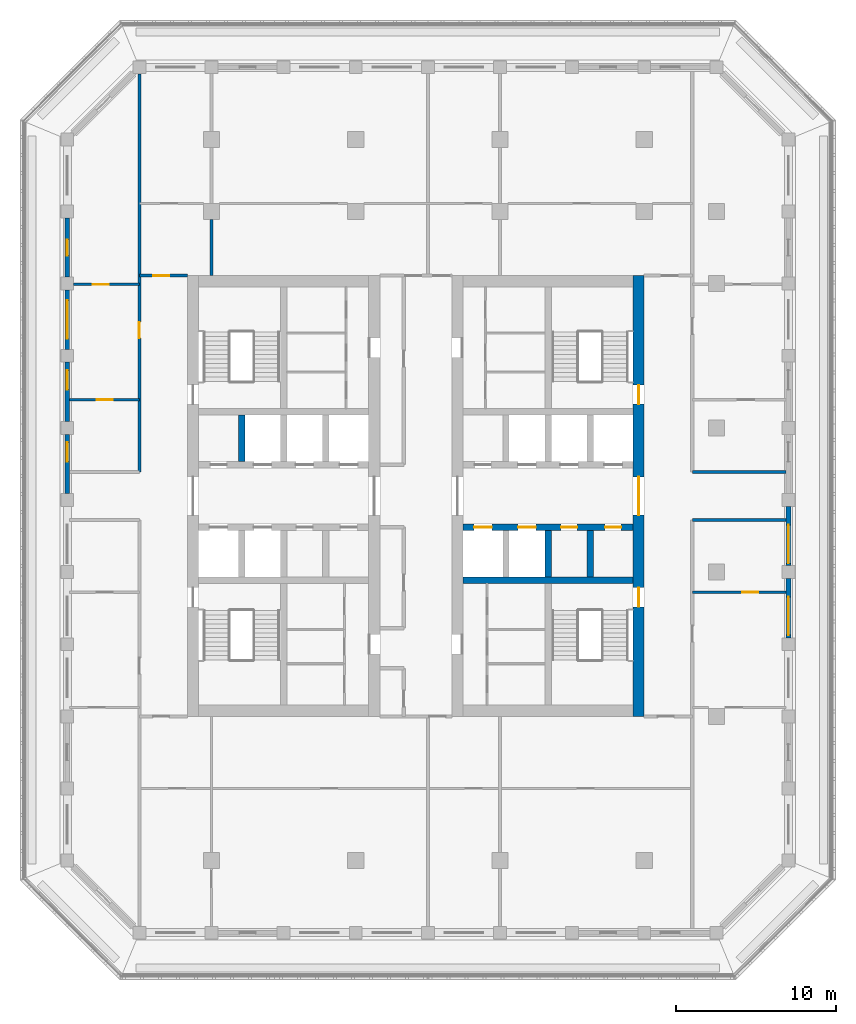
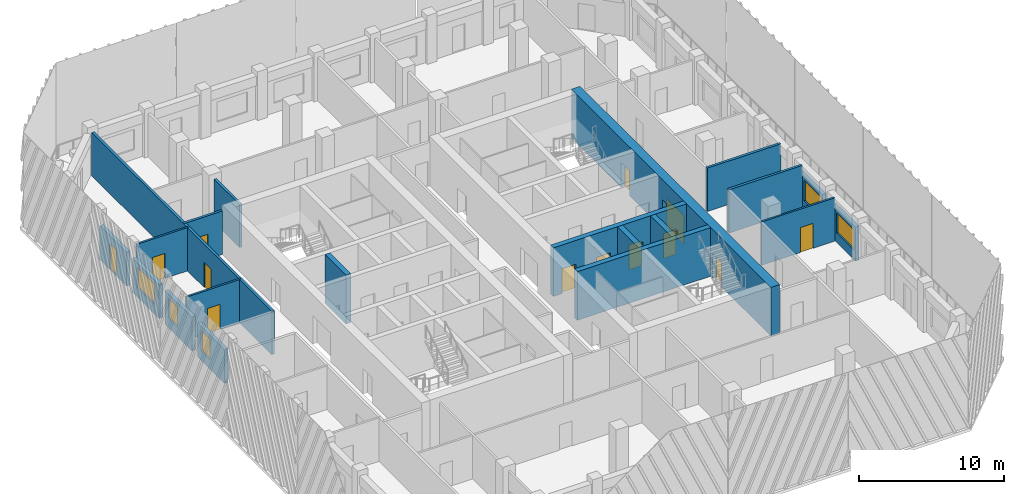
# One storey, part 5 of 17: 20 walls, 13 doors, 5 windows, 18 openings.
"""IFC4 building model written with IfcOpenShell, lengths in metres."""

from ifc_helpers import new_model, si_unit, direction, frame, frame_2d, origin, place, context, subcontext, project, spatial, rectangle, extrude, material, layer, layer_set, type_object, element, fill, save


model = new_model("IFC4")

# Units and contexts
model_context = context("Model", 3, precision=1e-05, world=origin(), true_north=direction((0.0, 1.0)))
body_context = subcontext(model_context, "Body", "Model", "MODEL_VIEW")
ifc_project = project(units=[si_unit("LENGTHUNIT", "METRE"), si_unit("AREAUNIT", "SQUARE_METRE"), si_unit("VOLUMEUNIT", "CUBIC_METRE"), si_unit("PLANEANGLEUNIT", "RADIAN"), si_unit("MASSUNIT", "GRAM", prefix="KILO")], contexts=[model_context])

# Site, building, storey
site_placement = place(None, origin())
site = spatial("IfcSite", under=ifc_project, at=site_placement, CompositionType="ELEMENT")
building_placement = place(site_placement, origin())
building = spatial("IfcBuilding", under=site, at=building_placement, Name="Corbel Stack Research Tower", CompositionType="ELEMENT")
storey_placement = place(building_placement, frame((0.0, 0.0, 248.0)))
storey = spatial("IfcBuildingStorey", under=building, at=storey_placement, Name="L56", CompositionType="ELEMENT", Elevation=248.0)

# Walls
ifc_material_1 = material(Name="Concrete C60/75", Category="concrete")
ifc_layer_1 = layer(ifc_material_1, 0.39990234375)
ifc_layer_set_1 = layer_set([ifc_layer_1], Name="Concrete C60/75")
wall_type_1 = type_object("IfcWallType", Name="CW-400-60", PredefinedType="SHEAR", material=ifc_layer_set_1)
wall_1_placement = place(storey_placement, frame((-7.125, 6.89990234375, 0.0), z_axis=(0.0, 0.0, 1.0), x_axis=(0.0, 1.0, 0.0)))
element("IfcWall", 1, at=wall_1_placement, inside=storey, type_object=wall_type_1, Name="West core wall, north shaft 1 L56", PredefinedType="SHEAR", context=body_context, shape_type="SweptSolid", body=[
    extrude(rectangle(XDim=2.900146484375, YDim=0.39990234375, at=frame_2d((1.4501953125, 0.0))), origin(), (0.0, 0.0, 1.0), 4.10009765625),
])
wall_2_placement = place(storey_placement, frame((6.699951171875, -0.5, 0.0), z_axis=(0.0, 0.0, 1.0), x_axis=(1.0, 0.0, 0.0)))
element("IfcWall", 2, at=wall_2_placement, inside=storey, type_object=wall_type_1, Name="East core wall, south row back L56", PredefinedType="SHEAR", context=body_context, shape_type="SweptSolid", body=[
    extrude(rectangle(XDim=10.60009765625, YDim=0.39990234375, at=frame_2d((5.300048828125, 0.0))), origin(), (0.0, 0.0, 1.0), 4.10009765625),
])

# Wall, openings, doors
wall_3_placement = place(storey_placement, frame((6.699951171875, 2.800048828125, 0.0), z_axis=(0.0, 0.0, 1.0), x_axis=(1.0, 0.0, 0.0)))
wall_3 = element("IfcWall", 3, at=wall_3_placement, inside=storey, type_object=wall_type_1, Name="East core wall, lobby south L56", PredefinedType="SHEAR", context=body_context, shape_type="SweptSolid", body=[
    extrude(rectangle(XDim=10.60009765625, YDim=0.39990234375, at=frame_2d((5.300048828125, 0.0))), origin(), (0.0, 0.0, 1.0), 4.10009765625),
])
opening_1_placement = place(wall_3_placement, frame((0.6875, 0.0, 0.0)))
opening_1 = element("IfcOpeningElement", 4, at=opening_1_placement, cuts=wall_3, Name="Opening LD-FS2", PredefinedType="OPENING", context=body_context, shape_type="SweptSolid", body=[
    extrude(rectangle(XDim=1.10009765625, YDim=2.10009765625, at=frame_2d((0.550048828125, 1.050048828125))), frame((0.0, 0.2099609375, 0.0), z_axis=(0.0, -1.0, 0.0), x_axis=(1.0, 0.0, 0.0)), (0.0, 0.0, 1.0), 0.419921875),
])
opening_2_placement = place(wall_3_placement, frame((3.4375, 0.0, 0.0)))
opening_2 = element("IfcOpeningElement", 5, at=opening_2_placement, cuts=wall_3, Name="Opening LD-GL2", PredefinedType="OPENING", context=body_context, shape_type="SweptSolid", body=[
    extrude(rectangle(XDim=1.10009765625, YDim=2.10009765625, at=frame_2d((0.550048828125, 1.050048828125))), frame((0.0, 0.2099609375, 0.0), z_axis=(0.0, -1.0, 0.0), x_axis=(1.0, 0.0, 0.0)), (0.0, 0.0, 1.0), 0.419921875),
])
opening_3_placement = place(wall_3_placement, frame((6.112548828125, 0.0, 0.0)))
opening_3 = element("IfcOpeningElement", 6, at=opening_3_placement, cuts=wall_3, Name="Opening CR-E12-S3", PredefinedType="OPENING", context=body_context, shape_type="SweptSolid", body=[
    extrude(rectangle(XDim=1.0, YDim=2.10009765625, at=frame_2d((0.5, 1.050048828125))), frame((0.0, 0.2099609375, 0.0), z_axis=(0.0, -1.0, 0.0), x_axis=(1.0, 0.0, 0.0)), (0.0, 0.0, 1.0), 0.419921875),
])
opening_4_placement = place(wall_3_placement, frame((8.862548828125, 0.0, 0.0)))
opening_4 = element("IfcOpeningElement", 7, at=opening_4_placement, cuts=wall_3, Name="Opening CR-E12-S4", PredefinedType="OPENING", context=body_context, shape_type="SweptSolid", body=[
    extrude(rectangle(XDim=1.0, YDim=2.10009765625, at=frame_2d((0.5, 1.050048828125))), frame((0.0, 0.2099609375, 0.0), z_axis=(0.0, -1.0, 0.0), x_axis=(1.0, 0.0, 0.0)), (0.0, 0.0, 1.0), 0.419921875),
])
ifc_material_2 = material(Name="Stainless steel landing door", Category="steel")
door_type_1 = type_object("IfcDoorType", Name="Lift landing door 1100 x 2100", OperationType="DOUBLE_DOOR_SLIDING", PredefinedType="DOOR", material=ifc_material_2)
door_1_placement = place(opening_1_placement, origin())
door_1 = element("IfcDoor", 8, at=door_1_placement, inside=storey, type_object=door_type_1, Name="Landing door FS2", OperationType="DOUBLE_DOOR_SLIDING", OverallHeight=2.10009765625, OverallWidth=1.10009765625, PredefinedType="DOOR", context=body_context, shape_type="SweptSolid", body=[
    extrude(rectangle(XDim=1.10009765625, YDim=2.10009765625, at=frame_2d((0.550048828125, 1.050048828125))), frame((0.0, 0.02490234375, 0.0), z_axis=(0.0, -1.0, 0.0), x_axis=(1.0, 0.0, 0.0)), (0.0, 0.0, 1.0), 0.050048828125),
])
fill(opening_1, door_1)
door_2_placement = place(opening_2_placement, origin())
door_2 = element("IfcDoor", 9, at=door_2_placement, inside=storey, type_object=door_type_1, Name="Landing door GL2", OperationType="DOUBLE_DOOR_SLIDING", OverallHeight=2.10009765625, OverallWidth=1.10009765625, PredefinedType="DOOR", context=body_context, shape_type="SweptSolid", body=[
    extrude(rectangle(XDim=1.10009765625, YDim=2.10009765625, at=frame_2d((0.550048828125, 1.050048828125))), frame((0.0, 0.02490234375, 0.0), z_axis=(0.0, -1.0, 0.0), x_axis=(1.0, 0.0, 0.0)), (0.0, 0.0, 1.0), 0.050048828125),
])
fill(opening_2, door_2)
ifc_material_3 = material(Name="Painted steel door", Category="steel")
door_type_2 = type_object("IfcDoorType", Name="Service door 1000 x 2100 FD60 left hand", OperationType="SINGLE_SWING_LEFT", PredefinedType="DOOR", material=ifc_material_3)
door_3_placement = place(opening_3_placement, origin())
door_3 = element("IfcDoor", 10, at=door_3_placement, inside=storey, type_object=door_type_2, Name="Vending bay door E core", OperationType="SINGLE_SWING_LEFT", OverallHeight=2.10009765625, OverallWidth=1.0, PredefinedType="DOOR", context=body_context, shape_type="SweptSolid", body=[
    extrude(rectangle(XDim=1.0, YDim=2.10009765625, at=frame_2d((0.5, 1.050048828125))), frame((0.0, 0.02490234375, 0.0), z_axis=(0.0, -1.0, 0.0), x_axis=(1.0, 0.0, 0.0)), (0.0, 0.0, 1.0), 0.050048828125),
])
fill(opening_3, door_3)
ifc_material_4 = material(Name="Painted steel door", Category="steel")
door_type_3 = type_object("IfcDoorType", Name="Service door 1000 x 2100 FD60 right hand", OperationType="SINGLE_SWING_RIGHT", PredefinedType="DOOR", material=ifc_material_4)
door_4_placement = place(opening_4_placement, origin())
door_4 = element("IfcDoor", 11, at=door_4_placement, inside=storey, type_object=door_type_3, Name="Mechanical room door E core", OperationType="SINGLE_SWING_RIGHT", OverallHeight=2.10009765625, OverallWidth=1.0, PredefinedType="DOOR", context=body_context, shape_type="SweptSolid", body=[
    extrude(rectangle(XDim=1.0, YDim=2.10009765625, at=frame_2d((0.5, 1.050048828125))), frame((0.0, 0.02490234375, 0.0), z_axis=(0.0, -1.0, 0.0), x_axis=(1.0, 0.0, 0.0)), (0.0, 0.0, 1.0), 0.050048828125),
])
fill(opening_4, door_4)

# Walls
for number, where, z_axis, x_axis, name in (
    (12, (12.0, -0.300048828125, 0.0), (0.0, 0.0, 1.0), (0.0, 1.0, 0.0), "East core wall, south shaft 2 L56"),
    (13, (14.625, -0.300048828125, 0.0), (0.0, 0.0, 1.0), (0.0, 1.0, 0.0), "East core wall, south shaft 3 L56"),
):
    element("IfcWall", number, at=place(storey_placement, frame(where, z_axis=z_axis, x_axis=x_axis)), inside=storey, type_object=wall_type_1, Name=name, PredefinedType="SHEAR", context=body_context, shape_type="SweptSolid", body=[
        extrude(rectangle(XDim=2.900146484375, YDim=0.39990234375, at=frame_2d((1.4501953125, 0.0))), origin(), (0.0, 0.0, 1.0), 4.10009765625),
    ])

# Wall, openings, doors
ifc_material_5 = material(Name="Concrete C60/75", Category="concrete")
ifc_layer_2 = layer(ifc_material_5, 0.699951171875)
ifc_layer_set_2 = layer_set([ifc_layer_2], Name="Concrete C60/75")
wall_type_2 = type_object("IfcWallType", Name="CW-700-60", PredefinedType="SHEAR", material=ifc_layer_set_2)
wall_4_placement = place(storey_placement, frame((17.64990234375, -9.0, 0.0), z_axis=(0.0, 0.0, 1.0), x_axis=(0.0, 1.0, 0.0)))
wall_4 = element("IfcWall", 14, at=wall_4_placement, inside=storey, type_object=wall_type_2, Name="East core wall, east face L56", PredefinedType="SHEAR", context=body_context, shape_type="SweptSolid", body=[
    extrude(rectangle(XDim=27.5, YDim=0.699951171875, at=frame_2d((13.75, 0.0))), origin(), (0.0, 0.0, 1.0), 4.10009765625),
])
opening_5_placement = place(wall_4_placement, frame((12.550048828125, 0.0, 0.0)))
opening_5 = element("IfcOpeningElement", 15, at=opening_5_placement, cuts=wall_4, Name="Opening CD-E-E", PredefinedType="OPENING", context=body_context, shape_type="SweptSolid", body=[
    extrude(rectangle(XDim=2.39990234375, YDim=2.39990234375, at=frame_2d((1.199951171875, 1.199951171875))), frame((0.0, 0.35986328125, 0.0), z_axis=(0.0, -1.0, 0.0), x_axis=(1.0, 0.0, 0.0)), (0.0, 0.0, 1.0), 0.719970703125),
])
opening_6_placement = place(wall_4_placement, frame((6.824951171875, 0.0, 0.0)))
opening_6 = element("IfcOpeningElement", 16, at=opening_6_placement, cuts=wall_4, Name="Opening SD-ST-E1", PredefinedType="OPENING", context=body_context, shape_type="SweptSolid", body=[
    extrude(rectangle(XDim=1.199951171875, YDim=2.10009765625, at=frame_2d((0.60009765625, 1.050048828125))), frame((0.0, 0.35986328125, 0.0), z_axis=(0.0, -1.0, 0.0), x_axis=(1.0, 0.0, 0.0)), (0.0, 0.0, 1.0), 0.719970703125),
])
opening_7_placement = place(wall_4_placement, frame((19.47509765625, 0.0, 0.0)))
opening_7 = element("IfcOpeningElement", 17, at=opening_7_placement, cuts=wall_4, Name="Opening SD-ST-E2", PredefinedType="OPENING", context=body_context, shape_type="SweptSolid", body=[
    extrude(rectangle(XDim=1.199951171875, YDim=2.10009765625, at=frame_2d((0.60009765625, 1.050048828125))), frame((0.0, 0.35986328125, 0.0), z_axis=(0.0, -1.0, 0.0), x_axis=(1.0, 0.0, 0.0)), (0.0, 0.0, 1.0), 0.719970703125),
])
ifc_material_6 = material(Name="Painted steel fire door", Category="steel")
door_type_4 = type_object("IfcDoorType", Name="Lobby door pair 2400 x 2400 FD30S", OperationType="DOUBLE_DOOR_DOUBLE_SWING", PredefinedType="DOOR", material=ifc_material_6)
door_5_placement = place(opening_5_placement, origin())
door_5 = element("IfcDoor", 18, at=door_5_placement, inside=storey, type_object=door_type_4, Name="Lift lobby door E core E", OperationType="DOUBLE_DOOR_DOUBLE_SWING", OverallHeight=2.39990234375, OverallWidth=2.39990234375, PredefinedType="DOOR", context=body_context, shape_type="SweptSolid", body=[
    extrude(rectangle(XDim=2.39990234375, YDim=2.39990234375, at=frame_2d((1.199951171875, 1.199951171875))), frame((0.0, 0.02490234375, 0.0), z_axis=(0.0, -1.0, 0.0), x_axis=(1.0, 0.0, 0.0)), (0.0, 0.0, 1.0), 0.050048828125),
])
fill(opening_5, door_5)
ifc_material_7 = material(Name="Painted steel fire door", Category="steel")
door_type_5 = type_object("IfcDoorType", Name="Stair door 1200 x 2100 FD90 right hand", OperationType="SINGLE_SWING_RIGHT", PredefinedType="DOOR", material=ifc_material_7)
door_6_placement = place(opening_6_placement, frame((1.199951171875, 0.0, 0.0), z_axis=(0.0, 0.0, 1.0), x_axis=(-1.0, 0.0, 0.0)))
door_6 = element("IfcDoor", 19, at=door_6_placement, inside=storey, type_object=door_type_5, Name="Stair door ST-E1", OperationType="SINGLE_SWING_LEFT", OverallHeight=2.10009765625, OverallWidth=1.199951171875, PredefinedType="DOOR", context=body_context, shape_type="SweptSolid", body=[
    extrude(rectangle(XDim=1.199951171875, YDim=2.10009765625, at=frame_2d((0.60009765625, 1.050048828125))), frame((0.0, 0.02490234375, 0.0), z_axis=(0.0, -1.0, 0.0), x_axis=(1.0, 0.0, 0.0)), (0.0, 0.0, 1.0), 0.050048828125),
])
fill(opening_6, door_6)
door_7_placement = place(opening_7_placement, frame((1.199951171875, 0.0, 0.0), z_axis=(0.0, 0.0, 1.0), x_axis=(-1.0, 0.0, 0.0)))
door_7 = element("IfcDoor", 20, at=door_7_placement, inside=storey, type_object=door_type_5, Name="Stair door ST-E2", OperationType="SINGLE_SWING_LEFT", OverallHeight=2.10009765625, OverallWidth=1.199951171875, PredefinedType="DOOR", context=body_context, shape_type="SweptSolid", body=[
    extrude(rectangle(XDim=1.199951171875, YDim=2.10009765625, at=frame_2d((0.60009765625, 1.050048828125))), frame((0.0, 0.02490234375, 0.0), z_axis=(0.0, -1.0, 0.0), x_axis=(1.0, 0.0, 0.0)), (0.0, 0.0, 1.0), 0.050048828125),
])
fill(opening_7, door_7)

# Wall, opening, door
ifc_material_8 = material(Name="Fire-rated gypsum board partition on steel studs", Category="steel")
ifc_layer_3 = layer(ifc_material_8, 0.199951171875)
ifc_layer_set_3 = layer_set([ifc_layer_3], Name="Fire-rated gypsum board partition on steel studs")
wall_type_3 = type_object("IfcWallType", Name="Fire-rated partition 200 EI 60", PredefinedType="PARTITIONING", material=ifc_layer_set_3)
wall_5_placement = place(storey_placement, frame((-13.5, 6.25, 0.0), z_axis=(0.0, 0.0, 1.0), x_axis=(0.0, 1.0, 0.0)))
wall_5 = element("IfcWall", 21, at=wall_5_placement, inside=storey, type_object=wall_type_3, Name="Partition L56-002", PredefinedType="PARTITIONING", context=body_context, shape_type="SweptSolid", body=[
    extrude(rectangle(XDim=24.8271484375, YDim=0.199951171875, at=frame_2d((12.41357421875, 0.0))), origin(), (0.0, 0.0, 1.0), 3.64990234375),
])
opening_8_placement = place(wall_5_placement, frame((8.35009765625, 0.0, 0.0)))
opening_8 = element("IfcOpeningElement", 22, at=opening_8_placement, cuts=wall_5, Name="Opening B7V1-006", PredefinedType="OPENING", context=body_context, shape_type="SweptSolid", body=[
    extrude(rectangle(XDim=1.0, YDim=2.10009765625, at=frame_2d((0.5, 1.050048828125))), frame((0.0, 0.10986328125, 0.0), z_axis=(0.0, -1.0, 0.0), x_axis=(1.0, 0.0, 0.0)), (0.0, 0.0, 1.0), 0.219970703125),
])
ifc_material_9 = material(Name="Painted steel fire door", Category="steel")
door_type_6 = type_object("IfcDoorType", Name="Fire door FD30S 1000 x 2100", OperationType="NOTDEFINED", PredefinedType="DOOR", material=ifc_material_9)
door_8_placement = place(opening_8_placement, origin())
door_8 = element("IfcDoor", 23, at=door_8_placement, inside=storey, type_object=door_type_6, Name="Door B7V1-006", OperationType="SINGLE_SWING_LEFT", OverallHeight=2.10009765625, OverallWidth=1.0, PredefinedType="DOOR", context=body_context, shape_type="SweptSolid", body=[
    extrude(rectangle(XDim=1.0, YDim=2.10009765625, at=frame_2d((0.5, 1.050048828125))), frame((0.0, 0.02490234375, 0.0), z_axis=(0.0, -1.0, 0.0), x_axis=(1.0, 0.0, 0.0)), (0.0, 0.0, 1.0), 0.050048828125),
])
fill(opening_8, door_8)

# Walls
wall_6_placement = place(storey_placement, frame((-9.0, 18.5, 0.0), z_axis=(0.0, 0.0, 1.0), x_axis=(0.0, 1.0, 0.0)))
element("IfcWall", 24, at=wall_6_placement, inside=storey, type_object=wall_type_3, Name="Partition L56-005", PredefinedType="PARTITIONING", context=body_context, shape_type="SweptSolid", body=[
    extrude(rectangle(XDim=3.5, YDim=0.199951171875, at=frame_2d((1.75, 0.0))), origin(), (0.0, 0.0, 1.0), 3.64990234375),
])
for number, where, z_axis, x_axis, name in (
    (25, (21.0, 3.25, 0.0), (0.0, 0.0, 1.0), (1.0, 0.0, 0.0), "Partition L56-033"),
    (26, (21.0, 6.25, 0.0), (0.0, 0.0, 1.0), (1.0, 0.0, 0.0), "Partition L56-035"),
):
    element("IfcWall", number, at=place(storey_placement, frame(where, z_axis=z_axis, x_axis=x_axis)), inside=storey, type_object=wall_type_3, Name=name, PredefinedType="PARTITIONING", context=body_context, shape_type="SweptSolid", body=[
        extrude(rectangle(XDim=5.85009765625, YDim=0.199951171875, at=frame_2d((2.925048828125, 0.0))), origin(), (0.0, 0.0, 1.0), 3.64990234375),
    ])

# Wall, opening, door
wall_7_placement = place(storey_placement, frame((-13.5, 18.5, 0.0), z_axis=(0.0, 0.0, 1.0), x_axis=(1.0, 0.0, 0.0)))
wall_7 = element("IfcWall", 27, at=wall_7_placement, inside=storey, type_object=wall_type_3, Name="Partition L56-042", PredefinedType="PARTITIONING", context=body_context, shape_type="SweptSolid", body=[
    extrude(rectangle(XDim=3.0, YDim=0.199951171875, at=frame_2d((1.5, 0.0))), origin(), (0.0, 0.0, 1.0), 3.64990234375),
])
opening_9_placement = place(wall_7_placement, frame((0.85009765625, 0.0, 0.0)))
opening_9 = element("IfcOpeningElement", 28, at=opening_9_placement, cuts=wall_7, Name="Opening B7V1-022", PredefinedType="OPENING", context=body_context, shape_type="SweptSolid", body=[
    extrude(rectangle(XDim=1.0, YDim=2.10009765625, at=frame_2d((0.5, 1.050048828125))), frame((0.0, 0.10986328125, 0.0), z_axis=(0.0, -1.0, 0.0), x_axis=(1.0, 0.0, 0.0)), (0.0, 0.0, 1.0), 0.219970703125),
])
door_9_placement = place(opening_9_placement, origin())
door_9 = element("IfcDoor", 29, at=door_9_placement, inside=storey, type_object=door_type_6, Name="Door B7V1-022", OperationType="SINGLE_SWING_LEFT", OverallHeight=2.10009765625, OverallWidth=1.0, PredefinedType="DOOR", context=body_context, shape_type="SweptSolid", body=[
    extrude(rectangle(XDim=1.0, YDim=2.10009765625, at=frame_2d((0.5, 1.050048828125))), frame((0.0, 0.02490234375, 0.0), z_axis=(0.0, -1.0, 0.0), x_axis=(1.0, 0.0, 0.0)), (0.0, 0.0, 1.0), 0.050048828125),
])
fill(opening_9, door_9)

ifc_material_10 = material(Name="Gypsum board partition on steel studs", Category="steel")
ifc_layer_4 = layer(ifc_material_10, 0.14990234375)
ifc_layer_set_4 = layer_set([ifc_layer_4], Name="Gypsum board partition on steel studs")
wall_type_4 = type_object("IfcWallType", Name="Partition 150", PredefinedType="PARTITIONING", material=ifc_layer_set_4)
wall_8_placement = place(storey_placement, frame((21.0, -1.25, 0.0), z_axis=(0.0, 0.0, 1.0), x_axis=(1.0, 0.0, 0.0)))
wall_8 = element("IfcWall", 30, at=wall_8_placement, inside=storey, type_object=wall_type_4, Name="Partition L56-030", PredefinedType="PARTITIONING", context=body_context, shape_type="SweptSolid", body=[
    extrude(rectangle(XDim=5.85009765625, YDim=0.14990234375, at=frame_2d((2.925048828125, 0.0))), origin(), (0.0, 0.0, 1.0), 3.64990234375),
])
opening_10_placement = place(wall_8_placement, frame((3.10009765625, 0.0, 0.0)))
opening_10 = element("IfcOpeningElement", 31, at=opening_10_placement, cuts=wall_8, Name="Opening B7V1-014", PredefinedType="OPENING", context=body_context, shape_type="SweptSolid", body=[
    extrude(rectangle(XDim=1.0, YDim=2.10009765625, at=frame_2d((0.5, 1.050048828125))), frame((0.0, 0.0849609375, 0.0), z_axis=(0.0, -1.0, 0.0), x_axis=(1.0, 0.0, 0.0)), (0.0, 0.0, 1.0), 0.169921875),
])
ifc_material_11 = material(Name="Painted timber door", Category="wood")
door_type_7 = type_object("IfcDoorType", Name="Single door 1000 x 2100", OperationType="NOTDEFINED", PredefinedType="DOOR", material=ifc_material_11)
door_10_placement = place(opening_10_placement, origin())
door_10 = element("IfcDoor", 32, at=door_10_placement, inside=storey, type_object=door_type_7, Name="Door B7V1-014", OperationType="SINGLE_SWING_RIGHT", OverallHeight=2.10009765625, OverallWidth=1.0, PredefinedType="DOOR", context=body_context, shape_type="SweptSolid", body=[
    extrude(rectangle(XDim=1.0, YDim=2.10009765625, at=frame_2d((0.5, 1.050048828125))), frame((0.0, 0.02490234375, 0.0), z_axis=(0.0, -1.0, 0.0), x_axis=(1.0, 0.0, 0.0)), (0.0, 0.0, 1.0), 0.050048828125),
])
fill(opening_10, door_10)

wall_9_placement = place(storey_placement, frame((-13.5, 10.75, 0.0), z_axis=(0.0, 0.0, 1.0), x_axis=(-1.0, 0.0, 0.0)))
wall_9 = element("IfcWall", 33, at=wall_9_placement, inside=storey, type_object=wall_type_4, Name="Partition L56-037", PredefinedType="PARTITIONING", context=body_context, shape_type="SweptSolid", body=[
    extrude(rectangle(XDim=4.35009765625, YDim=0.14990234375, at=frame_2d((2.175048828125, 0.0))), origin(), (0.0, 0.0, 1.0), 3.64990234375),
])
opening_11_placement = place(wall_9_placement, frame((1.64990234375, 0.0, 0.0)))
opening_11 = element("IfcOpeningElement", 34, at=opening_11_placement, cuts=wall_9, Name="Opening B7V1-018", PredefinedType="OPENING", context=body_context, shape_type="SweptSolid", body=[
    extrude(rectangle(XDim=1.0, YDim=2.10009765625, at=frame_2d((0.5, 1.050048828125))), frame((0.0, 0.0849609375, 0.0), z_axis=(0.0, -1.0, 0.0), x_axis=(1.0, 0.0, 0.0)), (0.0, 0.0, 1.0), 0.169921875),
])
door_11_placement = place(opening_11_placement, origin())
door_11 = element("IfcDoor", 35, at=door_11_placement, inside=storey, type_object=door_type_7, Name="Door B7V1-018", OperationType="SINGLE_SWING_RIGHT", OverallHeight=2.10009765625, OverallWidth=1.0, PredefinedType="DOOR", context=body_context, shape_type="SweptSolid", body=[
    extrude(rectangle(XDim=1.0, YDim=2.10009765625, at=frame_2d((0.5, 1.050048828125))), frame((0.0, 0.02490234375, 0.0), z_axis=(0.0, -1.0, 0.0), x_axis=(1.0, 0.0, 0.0)), (0.0, 0.0, 1.0), 0.050048828125),
])
fill(opening_11, door_11)

wall_10_placement = place(storey_placement, frame((-17.60009765625, 17.949951171875, 0.0), z_axis=(0.0, 0.0, 1.0), x_axis=(1.0, 0.0, 0.0)))
wall_10 = element("IfcWall", 36, at=wall_10_placement, inside=storey, type_object=wall_type_4, Name="Partition L56-039", PredefinedType="PARTITIONING", context=body_context, shape_type="SweptSolid", body=[
    extrude(rectangle(XDim=4.10009765625, YDim=0.14990234375, at=frame_2d((2.050048828125, 0.0))), origin(), (0.0, 0.0, 1.0), 3.64990234375),
])
opening_12_placement = place(wall_10_placement, frame((1.199951171875, 0.0, 0.0)))
opening_12 = element("IfcOpeningElement", 37, at=opening_12_placement, cuts=wall_10, Name="Opening B7V1-020", PredefinedType="OPENING", context=body_context, shape_type="SweptSolid", body=[
    extrude(rectangle(XDim=1.0, YDim=2.10009765625, at=frame_2d((0.5, 1.050048828125))), frame((0.0, 0.0849609375, 0.0), z_axis=(0.0, -1.0, 0.0), x_axis=(1.0, 0.0, 0.0)), (0.0, 0.0, 1.0), 0.169921875),
])
door_12_placement = place(opening_12_placement, origin())
door_12 = element("IfcDoor", 38, at=door_12_placement, inside=storey, type_object=door_type_7, Name="Door B7V1-020", OperationType="SINGLE_SWING_LEFT", OverallHeight=2.10009765625, OverallWidth=1.0, PredefinedType="DOOR", context=body_context, shape_type="SweptSolid", body=[
    extrude(rectangle(XDim=1.0, YDim=2.10009765625, at=frame_2d((0.5, 1.050048828125))), frame((0.0, 0.02490234375, 0.0), z_axis=(0.0, -1.0, 0.0), x_axis=(1.0, 0.0, 0.0)), (0.0, 0.0, 1.0), 0.050048828125),
])
fill(opening_12, door_12)

# Wall, opening, window
ifc_material_12 = material(Name="Concrete C45/55", Category="concrete")
ifc_layer_5 = layer(ifc_material_12, 0.300048828125)
ifc_layer_set_5 = layer_set([ifc_layer_5], Name="Concrete C45/55")
wall_type_5 = type_object("IfcWallType", Name="Terracotta-faced concrete wall 300", PredefinedType="SOLIDWALL", material=ifc_layer_set_5)
wall_11_placement = place(storey_placement, frame((27.0, -0.39990234375, 0.0), z_axis=(0.0, 0.0, 1.0), x_axis=(0.0, -1.0, 0.0)))
wall_11 = element("IfcWall", 39, at=wall_11_placement, inside=storey, type_object=wall_type_5, Name="Facade wall L56 E04", PredefinedType="SOLIDWALL", context=body_context, shape_type="SweptSolid", body=[
    extrude(rectangle(XDim=3.7001953125, YDim=0.300048828125, at=frame_2d((1.85009765625, 0.0))), origin(), (0.0, 0.0, 1.0), 2.85009765625),
])
opening_13_placement = place(wall_11_placement, frame((1.137451171875, 0.0, 0.800048828125)))
opening_13 = element("IfcOpeningElement", 40, at=opening_13_placement, cuts=wall_11, Name="Opening W1", PredefinedType="OPENING", context=body_context, shape_type="SweptSolid", body=[
    extrude(rectangle(XDim=2.39990234375, YDim=1.699951171875, at=frame_2d((1.199951171875, 0.85009765625))), frame((0.0, 0.159912109375, 0.0), z_axis=(0.0, -1.0, 0.0), x_axis=(1.0, 0.0, 0.0)), (0.0, 0.0, 1.0), 0.320068359375),
])
ifc_material_13 = material(Name="Aluminium frame, clear double glazing", Category="aluminium")
window_type_1 = type_object("IfcWindowType", Name="Window W1 2400 x 1700", PartitioningType="SINGLE_PANEL", PredefinedType="WINDOW", material=ifc_material_13)
window_1_placement = place(opening_13_placement, origin())
window_1 = element("IfcWindow", 41, at=window_1_placement, inside=storey, type_object=window_type_1, Name="Window W1 L56 E04", OverallHeight=1.699951171875, OverallWidth=2.39990234375, PartitioningType="SINGLE_PANEL", PredefinedType="WINDOW", context=body_context, shape_type="SweptSolid", body=[
    extrude(rectangle(XDim=2.39990234375, YDim=1.699951171875, at=frame_2d((1.199951171875, 0.85009765625))), frame((0.0, 0.030029296875, 0.0), z_axis=(0.0, -1.0, 0.0), x_axis=(1.0, 0.0, 0.0)), (0.0, 0.0, 1.0), 0.06005859375),
])
fill(opening_13, window_1)

wall_12_placement = place(storey_placement, frame((27.0, 4.10009765625, 0.0), z_axis=(0.0, 0.0, 1.0), x_axis=(0.0, -1.0, 0.0)))
wall_12 = element("IfcWall", 42, at=wall_12_placement, inside=storey, type_object=wall_type_5, Name="Facade wall L56 E05", PredefinedType="SOLIDWALL", context=body_context, shape_type="SweptSolid", body=[
    extrude(rectangle(XDim=3.7001953125, YDim=0.300048828125, at=frame_2d((1.85009765625, 0.0))), origin(), (0.0, 0.0, 1.0), 2.85009765625),
])
opening_14_placement = place(wall_12_placement, frame((1.14990234375, 0.0, 0.800048828125)))
opening_14 = element("IfcOpeningElement", 43, at=opening_14_placement, cuts=wall_12, Name="Opening W1", PredefinedType="OPENING", context=body_context, shape_type="SweptSolid", body=[
    extrude(rectangle(XDim=2.39990234375, YDim=1.699951171875, at=frame_2d((1.199951171875, 0.85009765625))), frame((0.0, 0.159912109375, 0.0), z_axis=(0.0, -1.0, 0.0), x_axis=(1.0, 0.0, 0.0)), (0.0, 0.0, 1.0), 0.320068359375),
])
window_2_placement = place(opening_14_placement, origin())
window_2 = element("IfcWindow", 44, at=window_2_placement, inside=storey, type_object=window_type_1, Name="Window W1 L56 E05", OverallHeight=1.699951171875, OverallWidth=2.39990234375, PartitioningType="SINGLE_PANEL", PredefinedType="WINDOW", context=body_context, shape_type="SweptSolid", body=[
    extrude(rectangle(XDim=2.39990234375, YDim=1.699951171875, at=frame_2d((1.199951171875, 0.85009765625))), frame((0.0, 0.030029296875, 0.0), z_axis=(0.0, -1.0, 0.0), x_axis=(1.0, 0.0, 0.0)), (0.0, 0.0, 1.0), 0.06005859375),
])
fill(opening_14, window_2)

# Wall, opening, door
wall_13_placement = place(storey_placement, frame((-18.0, 18.39990234375, 0.0), z_axis=(0.0, 0.0, 1.0), x_axis=(0.0, 1.0, 0.0)))
wall_13 = element("IfcWall", 45, at=wall_13_placement, inside=storey, type_object=wall_type_5, Name="Facade wall L56 W02", PredefinedType="SOLIDWALL", context=body_context, shape_type="SweptSolid", body=[
    extrude(rectangle(XDim=3.7001953125, YDim=0.300048828125, at=frame_2d((1.85009765625, 0.0))), origin(), (0.0, 0.0, 1.0), 2.85009765625),
])
opening_15_placement = place(wall_13_placement, frame((1.35009765625, 0.0, 0.0)))
opening_15 = element("IfcOpeningElement", 46, at=opening_15_placement, cuts=wall_13, Name="Opening L56-B10", PredefinedType="OPENING", context=body_context, shape_type="SweptSolid", body=[
    extrude(rectangle(XDim=1.0, YDim=2.199951171875, at=frame_2d((0.5, 1.10009765625))), frame((0.0, 0.159912109375, 0.0), z_axis=(0.0, -1.0, 0.0), x_axis=(1.0, 0.0, 0.0)), (0.0, 0.0, 1.0), 0.320068359375),
])
ifc_material_14 = material(Name="Aluminium frame, clear double glazing", Category="aluminium")
door_type_8 = type_object("IfcDoorType", Name="Balcony door BD1 1000 x 2200", OperationType="NOTDEFINED", PredefinedType="DOOR", material=ifc_material_14)
door_13_placement = place(opening_15_placement, origin())
door_13 = element("IfcDoor", 47, at=door_13_placement, inside=storey, type_object=door_type_8, Name="Balcony door L56-B10", OperationType="SINGLE_SWING_RIGHT", OverallHeight=2.199951171875, OverallWidth=1.0, PredefinedType="DOOR", context=body_context, shape_type="SweptSolid", body=[
    extrude(rectangle(XDim=1.0, YDim=2.199951171875, at=frame_2d((0.5, 1.10009765625))), frame((0.0, 0.02490234375, 0.0), z_axis=(0.0, -1.0, 0.0), x_axis=(1.0, 0.0, 0.0)), (0.0, 0.0, 1.0), 0.050048828125),
])
fill(opening_15, door_13)

# Wall, opening, window
wall_14_placement = place(storey_placement, frame((-18.0, 13.89990234375, 0.0), z_axis=(0.0, 0.0, 1.0), x_axis=(0.0, 1.0, 0.0)))
wall_14 = element("IfcWall", 48, at=wall_14_placement, inside=storey, type_object=wall_type_5, Name="Facade wall L56 W03", PredefinedType="SOLIDWALL", context=body_context, shape_type="SweptSolid", body=[
    extrude(rectangle(XDim=3.7001953125, YDim=0.300048828125, at=frame_2d((1.85009765625, 0.0))), origin(), (0.0, 0.0, 1.0), 2.85009765625),
])
opening_16_placement = place(wall_14_placement, frame((0.64990234375, 0.0, 0.800048828125)))
opening_16 = element("IfcOpeningElement", 49, at=opening_16_placement, cuts=wall_14, Name="Opening W1", PredefinedType="OPENING", context=body_context, shape_type="SweptSolid", body=[
    extrude(rectangle(XDim=2.39990234375, YDim=1.699951171875, at=frame_2d((1.199951171875, 0.85009765625))), frame((0.0, 0.159912109375, 0.0), z_axis=(0.0, -1.0, 0.0), x_axis=(1.0, 0.0, 0.0)), (0.0, 0.0, 1.0), 0.320068359375),
])
window_3_placement = place(opening_16_placement, origin())
window_3 = element("IfcWindow", 50, at=window_3_placement, inside=storey, type_object=window_type_1, Name="Window W1 L56 W03", OverallHeight=1.699951171875, OverallWidth=2.39990234375, PartitioningType="SINGLE_PANEL", PredefinedType="WINDOW", context=body_context, shape_type="SweptSolid", body=[
    extrude(rectangle(XDim=2.39990234375, YDim=1.699951171875, at=frame_2d((1.199951171875, 0.85009765625))), frame((0.0, 0.030029296875, 0.0), z_axis=(0.0, -1.0, 0.0), x_axis=(1.0, 0.0, 0.0)), (0.0, 0.0, 1.0), 0.06005859375),
])
fill(opening_16, window_3)

wall_15_placement = place(storey_placement, frame((-18.0, 9.39990234375, 0.0), z_axis=(0.0, 0.0, 1.0), x_axis=(0.0, 1.0, 0.0)))
wall_15 = element("IfcWall", 51, at=wall_15_placement, inside=storey, type_object=wall_type_5, Name="Facade wall L56 W04", PredefinedType="SOLIDWALL", context=body_context, shape_type="SweptSolid", body=[
    extrude(rectangle(XDim=3.7001953125, YDim=0.300048828125, at=frame_2d((1.85009765625, 0.0))), origin(), (0.0, 0.0, 1.0), 2.85009765625),
])
opening_17_placement = place(wall_15_placement, frame((1.987548828125, 0.0, 0.800048828125)))
opening_17 = element("IfcOpeningElement", 52, at=opening_17_placement, cuts=wall_15, Name="Opening W2", PredefinedType="OPENING", context=body_context, shape_type="SweptSolid", body=[
    extrude(rectangle(XDim=1.199951171875, YDim=1.699951171875, at=frame_2d((0.60009765625, 0.85009765625))), frame((0.0, 0.159912109375, 0.0), z_axis=(0.0, -1.0, 0.0), x_axis=(1.0, 0.0, 0.0)), (0.0, 0.0, 1.0), 0.320068359375),
])
ifc_material_15 = material(Name="Aluminium frame, clear double glazing", Category="aluminium")
window_type_2 = type_object("IfcWindowType", Name="Window W2 1200 x 1700", PartitioningType="SINGLE_PANEL", PredefinedType="WINDOW", material=ifc_material_15)
window_4_placement = place(opening_17_placement, origin())
window_4 = element("IfcWindow", 53, at=window_4_placement, inside=storey, type_object=window_type_2, Name="Window W2 L56 W04", OverallHeight=1.699951171875, OverallWidth=1.199951171875, PartitioningType="SINGLE_PANEL", PredefinedType="WINDOW", context=body_context, shape_type="SweptSolid", body=[
    extrude(rectangle(XDim=1.199951171875, YDim=1.699951171875, at=frame_2d((0.60009765625, 0.85009765625))), frame((0.0, 0.030029296875, 0.0), z_axis=(0.0, -1.0, 0.0), x_axis=(1.0, 0.0, 0.0)), (0.0, 0.0, 1.0), 0.06005859375),
])
fill(opening_17, window_4)

wall_16_placement = place(storey_placement, frame((-18.0, 4.89990234375, 0.0), z_axis=(0.0, 0.0, 1.0), x_axis=(0.0, 1.0, 0.0)))
wall_16 = element("IfcWall", 54, at=wall_16_placement, inside=storey, type_object=wall_type_5, Name="Facade wall L56 W05", PredefinedType="SOLIDWALL", context=body_context, shape_type="SweptSolid", body=[
    extrude(rectangle(XDim=3.7001953125, YDim=0.300048828125, at=frame_2d((1.85009765625, 0.0))), origin(), (0.0, 0.0, 1.0), 2.85009765625),
])
opening_18_placement = place(wall_16_placement, frame((2.0, 0.0, 0.800048828125)))
opening_18 = element("IfcOpeningElement", 55, at=opening_18_placement, cuts=wall_16, Name="Opening W2", PredefinedType="OPENING", context=body_context, shape_type="SweptSolid", body=[
    extrude(rectangle(XDim=1.199951171875, YDim=1.699951171875, at=frame_2d((0.60009765625, 0.85009765625))), frame((0.0, 0.159912109375, 0.0), z_axis=(0.0, -1.0, 0.0), x_axis=(1.0, 0.0, 0.0)), (0.0, 0.0, 1.0), 0.320068359375),
])
window_5_placement = place(opening_18_placement, origin())
window_5 = element("IfcWindow", 56, at=window_5_placement, inside=storey, type_object=window_type_2, Name="Window W2 L56 W05", OverallHeight=1.699951171875, OverallWidth=1.199951171875, PartitioningType="SINGLE_PANEL", PredefinedType="WINDOW", context=body_context, shape_type="SweptSolid", body=[
    extrude(rectangle(XDim=1.199951171875, YDim=1.699951171875, at=frame_2d((0.60009765625, 0.85009765625))), frame((0.0, 0.030029296875, 0.0), z_axis=(0.0, -1.0, 0.0), x_axis=(1.0, 0.0, 0.0)), (0.0, 0.0, 1.0), 0.06005859375),
])
fill(opening_18, window_5)

save(model, "model.ifc")
